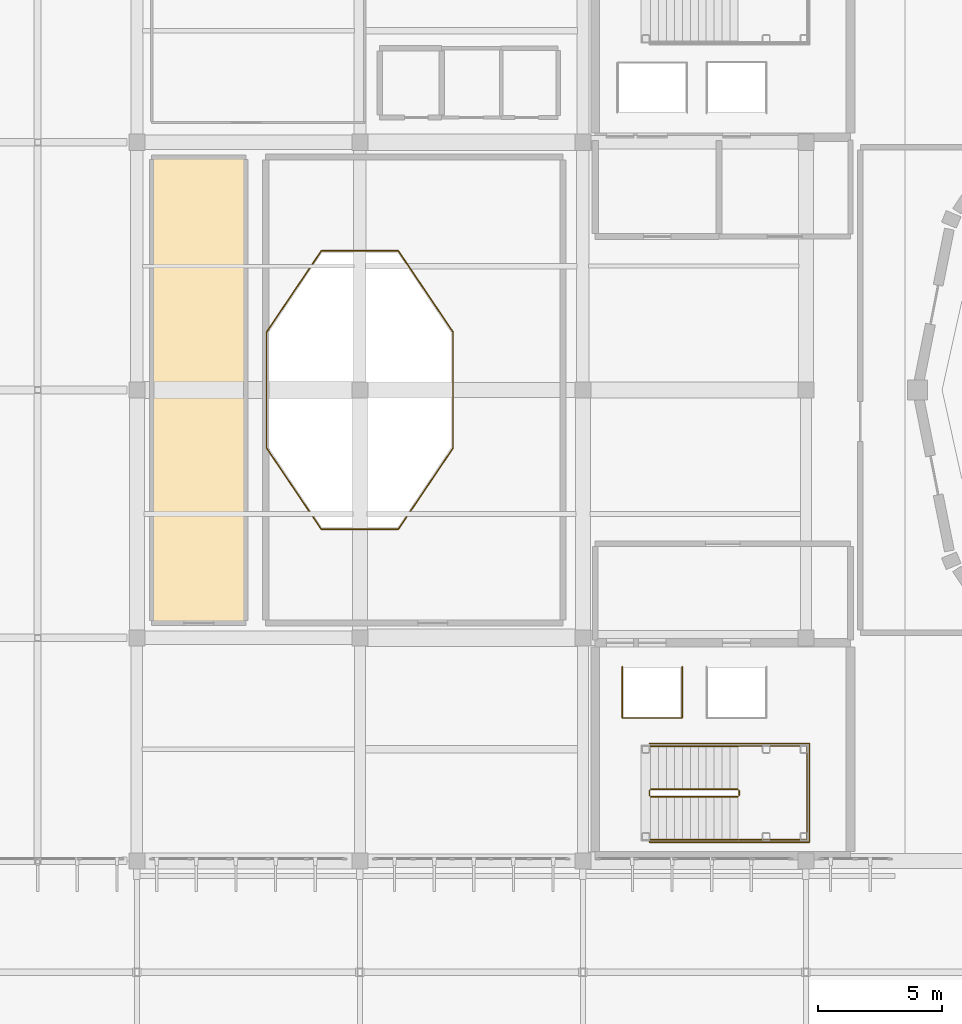
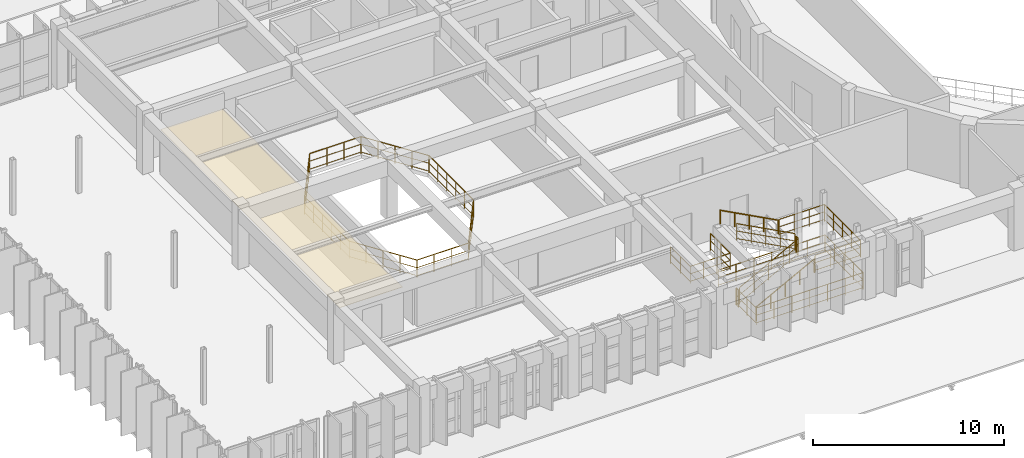
# One storey, part 75 of 80: 10 railings, 1 covering.
"""IFC4 building model written with IfcOpenShell, lengths in metres."""

from ifc_helpers import new_model, si_unit, direction, frame, origin, origin_2d, place, context, subcontext, project, spatial, polyline, circle, outline, extrude, material, layer, layer_set, type_object, element, save


model = new_model("IFC4")

# Units and contexts
model_context = context("Model", 3, precision=1e-05, world=origin(), true_north=direction((0.0, 1.0)))
body_context = subcontext(model_context, "Body", "Model", "MODEL_VIEW")
ifc_project = project(units=[si_unit("LENGTHUNIT", "METRE"), si_unit("AREAUNIT", "SQUARE_METRE"), si_unit("VOLUMEUNIT", "CUBIC_METRE"), si_unit("PLANEANGLEUNIT", "RADIAN"), si_unit("MASSUNIT", "GRAM", prefix="KILO")], contexts=[model_context])

# Site, building, storey
site_placement = place(None, origin())
site = spatial("IfcSite", under=ifc_project, at=site_placement, CompositionType="ELEMENT")
building_placement = place(site_placement, origin())
building = spatial("IfcBuilding", under=site, at=building_placement, Name="Miravela Opera House", CompositionType="ELEMENT")
storey_placement = place(building_placement, frame((0.0, 0.0, 17.679931640625)))
storey = spatial("IfcBuildingStorey", under=building, at=storey_placement, Name="L04", CompositionType="ELEMENT", Elevation=17.679931640625)

# Covering
ifc_material_1 = material(Name="Suspended acoustic gypsum board ceiling")
ifc_layer = layer(ifc_material_1, 0.02392578125)
ifc_layer_set = layer_set([ifc_layer])
covering_type = type_object("IfcCoveringType", Name="ARC-CEIL-GYPSUM-24", PredefinedType="CEILING", material=ifc_layer_set)
covering_placement = place(storey_placement, frame((0.0, 0.0, 2.739990234375)))
element("IfcCovering", 1, at=covering_placement, inside=storey, type_object=covering_type, Name="Radio and Television Broadcast Control Suite Acoustic Ceiling", PredefinedType="CEILING", context=body_context, shape_type="SweptSolid", body=[
    extrude(outline(polyline([(27.60009765625, 46.60009765625), (31.39990234375, 46.60009765625), (31.39990234375, 65.39990234375), (27.60009765625, 65.39990234375), (27.60009765625, 46.60009765625)])), origin(), (0.0, 0.0, 1.0), 0.024169921875),
])

# Railings
ifc_material_2 = material(Name="Architectural bronze foyer balustrade")
railing_type_1 = type_object("IfcRailingType", Name="ARC-RAIL-ATRIUM-BAL", PredefinedType="BALUSTRADE", material=ifc_material_2)
railing_1_placement = place(storey_placement, frame((39.763427734375, 58.33837890625, 0.0)))
element("IfcRailing", 2, at=railing_1_placement, inside=storey, type_object=railing_type_1, Name="L04 Void Perimeter Balustrade 0167", PredefinedType="BALUSTRADE", context=body_context, shape_type="SweptSolid", body=[
    extrude(circle(Radius=0.02587890625, at=origin_2d()), frame((0.0, 0.0, 1.11376953125), z_axis=(-0.558793514264, 0.82930682405, 0.0), x_axis=(-0.82930682405, -0.558793514264, 0.0)), (0.0, 0.0, 1.0), 3.95751953125),
    extrude(circle(Radius=0.01611328125, at=origin_2d()), frame((0.0, 0.0, 0.626953125), z_axis=(-0.558793514264, 0.82930682405, 0.0), x_axis=(-0.82930682405, -0.558793514264, 0.0)), (0.0, 0.0, 1.0), 3.95751953125),
    extrude(circle(Radius=0.01611328125, at=origin_2d()), frame((0.0, 0.0, 0.1201171875), z_axis=(-0.558793514264, 0.82930682405, 0.0), x_axis=(-0.82930682405, -0.558793514264, 0.0)), (0.0, 0.0, 1.0), 3.95751953125),
    extrude(circle(Radius=0.02587890625, at=origin_2d()), frame((-2.21142578125, 3.281982421875, 1.11376953125), z_axis=(-1.0, 0.0, 0.0), x_axis=(0.0, -1.0, 0.0)), (0.0, 0.0, 1.0), 3.10400390625),
    extrude(circle(Radius=0.01611328125, at=origin_2d()), frame((-2.21142578125, 3.281982421875, 0.626953125), z_axis=(-1.0, 0.0, 0.0), x_axis=(0.0, -1.0, 0.0)), (0.0, 0.0, 1.0), 3.10400390625),
    extrude(circle(Radius=0.01611328125, at=origin_2d()), frame((-2.21142578125, 3.281982421875, 0.1201171875), z_axis=(-1.0, 0.0, 0.0), x_axis=(0.0, -1.0, 0.0)), (0.0, 0.0, 1.0), 3.10400390625),
    extrude(circle(Radius=0.02587890625, at=origin_2d()), frame((-5.3154296875, 3.281982421875, 1.11376953125), z_axis=(-0.558793514264, -0.82930682405, 0.0), x_axis=(0.82930682405, -0.558793514264, 0.0)), (0.0, 0.0, 1.0), 3.95751953125),
    extrude(circle(Radius=0.01611328125, at=origin_2d()), frame((-5.3154296875, 3.281982421875, 0.626953125), z_axis=(-0.558793514264, -0.82930682405, 0.0), x_axis=(0.82930682405, -0.558793514264, 0.0)), (0.0, 0.0, 1.0), 3.95751953125),
    extrude(circle(Radius=0.01611328125, at=origin_2d()), frame((-5.3154296875, 3.281982421875, 0.1201171875), z_axis=(-0.558793514264, -0.82930682405, 0.0), x_axis=(0.82930682405, -0.558793514264, 0.0)), (0.0, 0.0, 1.0), 3.95751953125),
    extrude(circle(Radius=0.02587890625, at=origin_2d()), frame((-7.52685546875, 0.0, 1.11376953125), z_axis=(0.0, -1.0, 0.0), x_axis=(1.0, 0.0, 0.0)), (0.0, 0.0, 1.0), 4.6767578125),
    extrude(circle(Radius=0.01611328125, at=origin_2d()), frame((-7.52685546875, 0.0, 0.626953125), z_axis=(0.0, -1.0, 0.0), x_axis=(1.0, 0.0, 0.0)), (0.0, 0.0, 1.0), 4.6767578125),
    extrude(circle(Radius=0.01611328125, at=origin_2d()), frame((-7.52685546875, 0.0, 0.1201171875), z_axis=(0.0, -1.0, 0.0), x_axis=(1.0, 0.0, 0.0)), (0.0, 0.0, 1.0), 4.6767578125),
    extrude(circle(Radius=0.02587890625, at=origin_2d()), frame((-7.52685546875, -4.6767578125, 1.11376953125), z_axis=(0.558793514264, -0.82930682405, 0.0), x_axis=(0.82930682405, 0.558793514264, 0.0)), (0.0, 0.0, 1.0), 3.95751953125),
    extrude(circle(Radius=0.01611328125, at=origin_2d()), frame((-7.52685546875, -4.6767578125, 0.626953125), z_axis=(0.558793514264, -0.82930682405, 0.0), x_axis=(0.82930682405, 0.558793514264, 0.0)), (0.0, 0.0, 1.0), 3.95751953125),
    extrude(circle(Radius=0.01611328125, at=origin_2d()), frame((-7.52685546875, -4.6767578125, 0.1201171875), z_axis=(0.558793514264, -0.82930682405, 0.0), x_axis=(0.82930682405, 0.558793514264, 0.0)), (0.0, 0.0, 1.0), 3.95751953125),
    extrude(circle(Radius=0.02587890625, at=origin_2d()), frame((-5.3154296875, -7.958740234375, 1.11376953125), z_axis=(1.0, 0.0, 0.0), x_axis=(0.0, 1.0, 0.0)), (0.0, 0.0, 1.0), 3.10400390625),
    extrude(circle(Radius=0.01611328125, at=origin_2d()), frame((-5.3154296875, -7.958740234375, 0.626953125), z_axis=(1.0, 0.0, 0.0), x_axis=(0.0, 1.0, 0.0)), (0.0, 0.0, 1.0), 3.10400390625),
    extrude(circle(Radius=0.01611328125, at=origin_2d()), frame((-5.3154296875, -7.958740234375, 0.1201171875), z_axis=(1.0, 0.0, 0.0), x_axis=(0.0, 1.0, 0.0)), (0.0, 0.0, 1.0), 3.10400390625),
    extrude(circle(Radius=0.02587890625, at=origin_2d()), frame((-2.21142578125, -7.958740234375, 1.11376953125), z_axis=(0.558793514264, 0.82930682405, 0.0), x_axis=(-0.82930682405, 0.558793514264, 0.0)), (0.0, 0.0, 1.0), 3.95751953125),
    extrude(circle(Radius=0.01611328125, at=origin_2d()), frame((-2.21142578125, -7.958740234375, 0.626953125), z_axis=(0.558793514264, 0.82930682405, 0.0), x_axis=(-0.82930682405, 0.558793514264, 0.0)), (0.0, 0.0, 1.0), 3.95751953125),
    extrude(circle(Radius=0.01611328125, at=origin_2d()), frame((-2.21142578125, -7.958740234375, 0.1201171875), z_axis=(0.558793514264, 0.82930682405, 0.0), x_axis=(-0.82930682405, 0.558793514264, 0.0)), (0.0, 0.0, 1.0), 3.95751953125),
    extrude(circle(Radius=0.02587890625, at=origin_2d()), frame((0.0, -4.6767578125, 1.11376953125), z_axis=(0.0, 1.0, 0.0), x_axis=(-1.0, 0.0, 0.0)), (0.0, 0.0, 1.0), 4.6767578125),
    extrude(circle(Radius=0.01611328125, at=origin_2d()), frame((0.0, -4.6767578125, 0.626953125), z_axis=(0.0, 1.0, 0.0), x_axis=(-1.0, 0.0, 0.0)), (0.0, 0.0, 1.0), 4.6767578125),
    extrude(circle(Radius=0.01611328125, at=origin_2d()), frame((0.0, -4.6767578125, 0.1201171875), z_axis=(0.0, 1.0, 0.0), x_axis=(-1.0, 0.0, 0.0)), (0.0, 0.0, 1.0), 4.6767578125),
    extrude(circle(Radius=0.02099609375, at=origin_2d()), origin(), (0.0, 0.0, 1.0), 1.087890625),
    extrude(circle(Radius=0.02099609375, at=origin_2d()), frame((-0.552734375, 0.820556640625, 0.0)), (0.0, 0.0, 1.0), 1.087890625),
    extrude(circle(Radius=0.02099609375, at=origin_2d()), frame((-1.105712890625, 1.64111328125, 0.0)), (0.0, 0.0, 1.0), 1.087890625),
    extrude(circle(Radius=0.02099609375, at=origin_2d()), frame((-1.65869140625, 2.46142578125, 0.0)), (0.0, 0.0, 1.0), 1.087890625),
    extrude(circle(Radius=0.02099609375, at=origin_2d()), frame((-2.21142578125, 3.281982421875, 0.0)), (0.0, 0.0, 1.0), 1.087890625),
    extrude(circle(Radius=0.02099609375, at=origin_2d()), frame((-3.24609375, 3.281982421875, 0.0)), (0.0, 0.0, 1.0), 1.087890625),
    extrude(circle(Radius=0.02099609375, at=origin_2d()), frame((-4.28076171875, 3.281982421875, 0.0)), (0.0, 0.0, 1.0), 1.087890625),
    extrude(circle(Radius=0.02099609375, at=origin_2d()), frame((-5.3154296875, 3.281982421875, 0.0)), (0.0, 0.0, 1.0), 1.087890625),
    extrude(circle(Radius=0.02099609375, at=origin_2d()), frame((-5.8681640625, 2.46142578125, 0.0)), (0.0, 0.0, 1.0), 1.087890625),
    extrude(circle(Radius=0.02099609375, at=origin_2d()), frame((-6.421142578125, 1.64111328125, 0.0)), (0.0, 0.0, 1.0), 1.087890625),
    extrude(circle(Radius=0.02099609375, at=origin_2d()), frame((-6.97412109375, 0.820556640625, 0.0)), (0.0, 0.0, 1.0), 1.087890625),
    extrude(circle(Radius=0.02099609375, at=origin_2d()), frame((-7.52685546875, 0.0, 0.0)), (0.0, 0.0, 1.0), 1.087890625),
    extrude(circle(Radius=0.02099609375, at=origin_2d()), frame((-7.52685546875, -0.935302734375, 0.0)), (0.0, 0.0, 1.0), 1.087890625),
    extrude(circle(Radius=0.02099609375, at=origin_2d()), frame((-7.52685546875, -1.87060546875, 0.0)), (0.0, 0.0, 1.0), 1.087890625),
    extrude(circle(Radius=0.02099609375, at=origin_2d()), frame((-7.52685546875, -2.80615234375, 0.0)), (0.0, 0.0, 1.0), 1.087890625),
    extrude(circle(Radius=0.02099609375, at=origin_2d()), frame((-7.52685546875, -3.741455078125, 0.0)), (0.0, 0.0, 1.0), 1.087890625),
    extrude(circle(Radius=0.02099609375, at=origin_2d()), frame((-7.52685546875, -4.6767578125, 0.0)), (0.0, 0.0, 1.0), 1.087890625),
    extrude(circle(Radius=0.02099609375, at=origin_2d()), frame((-6.97412109375, -5.497314453125, 0.0)), (0.0, 0.0, 1.0), 1.087890625),
    extrude(circle(Radius=0.02099609375, at=origin_2d()), frame((-6.421142578125, -6.31787109375, 0.0)), (0.0, 0.0, 1.0), 1.087890625),
    extrude(circle(Radius=0.02099609375, at=origin_2d()), frame((-5.8681640625, -7.13818359375, 0.0)), (0.0, 0.0, 1.0), 1.087890625),
    extrude(circle(Radius=0.02099609375, at=origin_2d()), frame((-5.3154296875, -7.958740234375, 0.0)), (0.0, 0.0, 1.0), 1.087890625),
    extrude(circle(Radius=0.02099609375, at=origin_2d()), frame((-4.28076171875, -7.958740234375, 0.0)), (0.0, 0.0, 1.0), 1.087890625),
    extrude(circle(Radius=0.02099609375, at=origin_2d()), frame((-3.24609375, -7.958740234375, 0.0)), (0.0, 0.0, 1.0), 1.087890625),
    extrude(circle(Radius=0.02099609375, at=origin_2d()), frame((-2.21142578125, -7.958740234375, 0.0)), (0.0, 0.0, 1.0), 1.087890625),
    extrude(circle(Radius=0.02099609375, at=origin_2d()), frame((-1.65869140625, -7.13818359375, 0.0)), (0.0, 0.0, 1.0), 1.087890625),
    extrude(circle(Radius=0.02099609375, at=origin_2d()), frame((-1.105712890625, -6.31787109375, 0.0)), (0.0, 0.0, 1.0), 1.087890625),
    extrude(circle(Radius=0.02099609375, at=origin_2d()), frame((-0.552734375, -5.497314453125, 0.0)), (0.0, 0.0, 1.0), 1.087890625),
    extrude(circle(Radius=0.02099609375, at=origin_2d()), frame((0.0, -4.6767578125, 0.0)), (0.0, 0.0, 1.0), 1.087890625),
    extrude(circle(Radius=0.02099609375, at=origin_2d()), frame((0.0, -3.741455078125, 0.0)), (0.0, 0.0, 1.0), 1.087890625),
    extrude(circle(Radius=0.02099609375, at=origin_2d()), frame((0.0, -2.80615234375, 0.0)), (0.0, 0.0, 1.0), 1.087890625),
    extrude(circle(Radius=0.02099609375, at=origin_2d()), frame((0.0, -1.87060546875, 0.0)), (0.0, 0.0, 1.0), 1.087890625),
    extrude(circle(Radius=0.02099609375, at=origin_2d()), frame((0.0, -0.935302734375, 0.0)), (0.0, 0.0, 1.0), 1.087890625),
])
ifc_material_3 = material(Name="Brushed bronze continuous stair handrail")
railing_type_2 = type_object("IfcRailingType", Name="ARC-RAIL-HAND-900", PredefinedType="HANDRAIL", material=ifc_material_3)
railing_2_placement = place(storey_placement, frame((47.739990234375, 37.85009765625, 0.170166015625)))
element("IfcRailing", 3, at=railing_2_placement, inside=storey, type_object=railing_type_2, Name="L04 ST-02 stair handrail 1", PredefinedType="HANDRAIL", context=body_context, shape_type="SweptSolid", body=[
    extrude(circle(Radius=0.02392578125, at=origin_2d()), frame((0.0, 0.0, 0.8759765625), z_axis=(0.883129994055, 0.0, 0.469128355144), x_axis=(0.0, 1.0, 0.0)), (0.0, 0.0, 1.0), 3.98583984375),
    extrude(circle(Radius=0.02099609375, at=origin_2d()), origin(), (0.0, 0.0, 1.0), 0.851806640625),
    extrude(circle(Radius=0.02099609375, at=origin_2d()), frame((0.8798828125, 0.0, 0.467529296875)), (0.0, 0.0, 1.0), 0.851806640625),
    extrude(circle(Radius=0.02099609375, at=origin_2d()), frame((1.760009765625, 0.0, 0.93505859375)), (0.0, 0.0, 1.0), 0.851806640625),
    extrude(circle(Radius=0.02099609375, at=origin_2d()), frame((2.64013671875, 0.0, 1.40234375)), (0.0, 0.0, 1.0), 0.851806640625),
    extrude(circle(Radius=0.02099609375, at=origin_2d()), frame((3.52001953125, 0.0, 1.869873046875)), (0.0, 0.0, 1.0), 0.851806640625),
])
railing_3_placement = place(storey_placement, frame((51.260009765625, 41.6298828125, 2.2099609375)))
element("IfcRailing", 4, at=railing_3_placement, inside=storey, type_object=railing_type_2, Name="L04 ST-02 stair handrail 2", PredefinedType="HANDRAIL", context=body_context, shape_type="SweptSolid", body=[
    extrude(circle(Radius=0.02392578125, at=origin_2d()), frame((0.0, 0.0, 0.8759765625), z_axis=(-0.883104616746, 0.0, 0.469176124586), x_axis=(0.0, -1.0, 0.0)), (0.0, 0.0, 1.0), 3.98583984375),
    extrude(circle(Radius=0.02099609375, at=origin_2d()), origin(), (0.0, 0.0, 1.0), 0.851806640625),
    extrude(circle(Radius=0.02099609375, at=origin_2d()), frame((-0.8798828125, 0.0, 0.467529296875)), (0.0, 0.0, 1.0), 0.851806640625),
    extrude(circle(Radius=0.02099609375, at=origin_2d()), frame((-1.760009765625, 0.0, 0.93505859375)), (0.0, 0.0, 1.0), 0.851806640625),
    extrude(circle(Radius=0.02099609375, at=origin_2d()), frame((-2.64013671875, 0.0, 1.402587890625)), (0.0, 0.0, 1.0), 0.851806640625),
    extrude(circle(Radius=0.02099609375, at=origin_2d()), frame((-3.52001953125, 0.0, 1.8701171875)), (0.0, 0.0, 1.0), 0.851806640625),
])
ifc_material_4 = material(Name="Painted wrought-iron stair guardrail")
railing_type_3 = type_object("IfcRailingType", Name="ARC-RAIL-STAIR-GUARD", PredefinedType="GUARDRAIL", material=ifc_material_4)
railing_4_placement = place(storey_placement, frame((47.739990234375, 39.590087890625, 0.170166015625)))
element("IfcRailing", 5, at=railing_4_placement, inside=storey, type_object=railing_type_3, Name="L04 ST-02 stair guard 1", PredefinedType="GUARDRAIL", context=body_context, shape_type="SweptSolid", body=[
    extrude(circle(Radius=0.02392578125, at=origin_2d()), frame((0.0, 0.0, 1.076171875), z_axis=(0.883129994055, 0.0, 0.469128355144), x_axis=(0.0, 1.0, 0.0)), (0.0, 0.0, 1.0), 3.98583984375),
    extrude(circle(Radius=0.01611328125, at=origin_2d()), frame((0.0, 0.0, 0.60498046875), z_axis=(0.883129994055, 0.0, 0.469128355144), x_axis=(0.0, 1.0, 0.0)), (0.0, 0.0, 1.0), 3.98583984375),
    extrude(circle(Radius=0.01611328125, at=origin_2d()), frame((0.0, 0.0, 0.1201171875), z_axis=(0.883129994055, 0.0, 0.469128355144), x_axis=(0.0, 1.0, 0.0)), (0.0, 0.0, 1.0), 3.98583984375),
    extrude(circle(Radius=0.02099609375, at=origin_2d()), origin(), (0.0, 0.0, 1.0), 1.052001953125),
    extrude(circle(Radius=0.02099609375, at=origin_2d()), frame((0.8798828125, 0.0, 0.467529296875)), (0.0, 0.0, 1.0), 1.052001953125),
    extrude(circle(Radius=0.02099609375, at=origin_2d()), frame((1.760009765625, 0.0, 0.93505859375)), (0.0, 0.0, 1.0), 1.052001953125),
    extrude(circle(Radius=0.02099609375, at=origin_2d()), frame((2.64013671875, 0.0, 1.40234375)), (0.0, 0.0, 1.0), 1.052001953125),
    extrude(circle(Radius=0.02099609375, at=origin_2d()), frame((3.52001953125, 0.0, 1.869873046875)), (0.0, 0.0, 1.0), 1.052001953125),
])
railing_5_placement = place(storey_placement, frame((51.31005859375, 39.639892578125, 2.0400390625)))
element("IfcRailing", 6, at=railing_5_placement, inside=storey, type_object=railing_type_3, Name="L04 ST-02 stair guard 2", PredefinedType="GUARDRAIL", context=body_context, shape_type="SweptSolid", body=[
    extrude(circle(Radius=0.02392578125, at=origin_2d()), frame((0.0, 0.0, 1.076171875), z_axis=(0.0, 1.0, 0.0), x_axis=(-1.0, 0.0, 0.0)), (0.0, 0.0, 1.0), 0.2001953125),
    extrude(circle(Radius=0.01611328125, at=origin_2d()), frame((0.0, 0.0, 0.60498046875), z_axis=(0.0, 1.0, 0.0), x_axis=(-1.0, 0.0, 0.0)), (0.0, 0.0, 1.0), 0.2001953125),
    extrude(circle(Radius=0.01611328125, at=origin_2d()), frame((0.0, 0.0, 0.1201171875), z_axis=(0.0, 1.0, 0.0), x_axis=(-1.0, 0.0, 0.0)), (0.0, 0.0, 1.0), 0.2001953125),
    extrude(circle(Radius=0.02099609375, at=origin_2d()), origin(), (0.0, 0.0, 1.0), 1.052001953125),
    extrude(circle(Radius=0.02099609375, at=origin_2d()), frame((0.0, 0.2001953125, 0.0)), (0.0, 0.0, 1.0), 1.052001953125),
])
railing_6_placement = place(storey_placement, frame((51.260009765625, 39.889892578125, 2.2099609375)))
element("IfcRailing", 7, at=railing_6_placement, inside=storey, type_object=railing_type_3, Name="L04 ST-02 stair guard 3", PredefinedType="GUARDRAIL", context=body_context, shape_type="SweptSolid", body=[
    extrude(circle(Radius=0.02392578125, at=origin_2d()), frame((0.0, 0.0, 1.076171875), z_axis=(-0.883104616746, 0.0, 0.469176124586), x_axis=(0.0, -1.0, 0.0)), (0.0, 0.0, 1.0), 3.98583984375),
    extrude(circle(Radius=0.01611328125, at=origin_2d()), frame((0.0, 0.0, 0.60498046875), z_axis=(-0.883104616746, 0.0, 0.469176124586), x_axis=(0.0, -1.0, 0.0)), (0.0, 0.0, 1.0), 3.98583984375),
    extrude(circle(Radius=0.01611328125, at=origin_2d()), frame((0.0, 0.0, 0.1201171875), z_axis=(-0.883104616746, 0.0, 0.469176124586), x_axis=(0.0, -1.0, 0.0)), (0.0, 0.0, 1.0), 3.98583984375),
    extrude(circle(Radius=0.02099609375, at=origin_2d()), origin(), (0.0, 0.0, 1.0), 1.052001953125),
    extrude(circle(Radius=0.02099609375, at=origin_2d()), frame((-0.8798828125, 0.0, 0.467529296875)), (0.0, 0.0, 1.0), 1.052001953125),
    extrude(circle(Radius=0.02099609375, at=origin_2d()), frame((-1.760009765625, 0.0, 0.93505859375)), (0.0, 0.0, 1.0), 1.052001953125),
    extrude(circle(Radius=0.02099609375, at=origin_2d()), frame((-2.64013671875, 0.0, 1.402587890625)), (0.0, 0.0, 1.0), 1.052001953125),
    extrude(circle(Radius=0.02099609375, at=origin_2d()), frame((-3.52001953125, 0.0, 1.8701171875)), (0.0, 0.0, 1.0), 1.052001953125),
])
railing_7_placement = place(storey_placement, frame((47.68994140625, 39.639892578125, 0.0)))
element("IfcRailing", 8, at=railing_7_placement, inside=storey, type_object=railing_type_3, Name="L04 ST-02 stair guard 4", PredefinedType="GUARDRAIL", context=body_context, shape_type="SweptSolid", body=[
    extrude(circle(Radius=0.02392578125, at=origin_2d()), frame((0.0, 0.0, 1.076171875), z_axis=(0.0, 1.0, 0.0), x_axis=(-1.0, 0.0, 0.0)), (0.0, 0.0, 1.0), 0.2001953125),
    extrude(circle(Radius=0.01611328125, at=origin_2d()), frame((0.0, 0.0, 0.60498046875), z_axis=(0.0, 1.0, 0.0), x_axis=(-1.0, 0.0, 0.0)), (0.0, 0.0, 1.0), 0.2001953125),
    extrude(circle(Radius=0.01611328125, at=origin_2d()), frame((0.0, 0.0, 0.1201171875), z_axis=(0.0, 1.0, 0.0), x_axis=(-1.0, 0.0, 0.0)), (0.0, 0.0, 1.0), 0.2001953125),
    extrude(circle(Radius=0.02099609375, at=origin_2d()), origin(), (0.0, 0.0, 1.0), 1.052001953125),
    extrude(circle(Radius=0.02099609375, at=origin_2d()), frame((0.0, 0.2001953125, 0.0)), (0.0, 0.0, 1.0), 1.052001953125),
])
railing_8_placement = place(storey_placement, frame((51.31005859375, 37.85009765625, 2.0400390625)))
element("IfcRailing", 9, at=railing_8_placement, inside=storey, type_object=railing_type_3, Name="Stair ST-02 Half-Landing Perimeter Guard (L04) 0018", PredefinedType="GUARDRAIL", context=body_context, shape_type="SweptSolid", body=[
    extrude(circle(Radius=0.02392578125, at=origin_2d()), frame((0.0, 0.0, 1.076171875), z_axis=(1.0, 0.0, 0.0), x_axis=(0.0, 1.0, 0.0)), (0.0, 0.0, 1.0), 2.739990234375),
    extrude(circle(Radius=0.01611328125, at=origin_2d()), frame((0.0, 0.0, 0.60498046875), z_axis=(1.0, 0.0, 0.0), x_axis=(0.0, 1.0, 0.0)), (0.0, 0.0, 1.0), 2.739990234375),
    extrude(circle(Radius=0.01611328125, at=origin_2d()), frame((0.0, 0.0, 0.1201171875), z_axis=(1.0, 0.0, 0.0), x_axis=(0.0, 1.0, 0.0)), (0.0, 0.0, 1.0), 2.739990234375),
    extrude(circle(Radius=0.02392578125, at=origin_2d()), frame((2.739990234375, 0.0, 1.076171875), z_axis=(0.0, 1.0, 0.0), x_axis=(-1.0, 0.0, 0.0)), (0.0, 0.0, 1.0), 3.77978515625),
    extrude(circle(Radius=0.01611328125, at=origin_2d()), frame((2.739990234375, 0.0, 0.60498046875), z_axis=(0.0, 1.0, 0.0), x_axis=(-1.0, 0.0, 0.0)), (0.0, 0.0, 1.0), 3.77978515625),
    extrude(circle(Radius=0.01611328125, at=origin_2d()), frame((2.739990234375, 0.0, 0.1201171875), z_axis=(0.0, 1.0, 0.0), x_axis=(-1.0, 0.0, 0.0)), (0.0, 0.0, 1.0), 3.77978515625),
    extrude(circle(Radius=0.02392578125, at=origin_2d()), frame((2.739990234375, 3.77978515625, 1.076171875), z_axis=(-1.0, 0.0, 0.0), x_axis=(0.0, -1.0, 0.0)), (0.0, 0.0, 1.0), 2.739990234375),
    extrude(circle(Radius=0.01611328125, at=origin_2d()), frame((2.739990234375, 3.77978515625, 0.60498046875), z_axis=(-1.0, 0.0, 0.0), x_axis=(0.0, -1.0, 0.0)), (0.0, 0.0, 1.0), 2.739990234375),
    extrude(circle(Radius=0.01611328125, at=origin_2d()), frame((2.739990234375, 3.77978515625, 0.1201171875), z_axis=(-1.0, 0.0, 0.0), x_axis=(0.0, -1.0, 0.0)), (0.0, 0.0, 1.0), 2.739990234375),
    extrude(circle(Radius=0.02099609375, at=origin_2d()), origin(), (0.0, 0.0, 1.0), 1.052001953125),
    extrude(circle(Radius=0.02099609375, at=origin_2d()), frame((0.913330078125, 0.0, 0.0)), (0.0, 0.0, 1.0), 1.052001953125),
    extrude(circle(Radius=0.02099609375, at=origin_2d()), frame((1.82666015625, 0.0, 0.0)), (0.0, 0.0, 1.0), 1.052001953125),
    extrude(circle(Radius=0.02099609375, at=origin_2d()), frame((2.739990234375, 0.0, 0.0)), (0.0, 0.0, 1.0), 1.052001953125),
    extrude(circle(Radius=0.02099609375, at=origin_2d()), frame((2.739990234375, 0.94482421875, 0.0)), (0.0, 0.0, 1.0), 1.052001953125),
    extrude(circle(Radius=0.02099609375, at=origin_2d()), frame((2.739990234375, 1.889892578125, 0.0)), (0.0, 0.0, 1.0), 1.052001953125),
    extrude(circle(Radius=0.02099609375, at=origin_2d()), frame((2.739990234375, 2.8349609375, 0.0)), (0.0, 0.0, 1.0), 1.052001953125),
    extrude(circle(Radius=0.02099609375, at=origin_2d()), frame((2.739990234375, 3.77978515625, 0.0)), (0.0, 0.0, 1.0), 1.052001953125),
    extrude(circle(Radius=0.02099609375, at=origin_2d()), frame((1.82666015625, 3.77978515625, 0.0)), (0.0, 0.0, 1.0), 1.052001953125),
    extrude(circle(Radius=0.02099609375, at=origin_2d()), frame((0.913330078125, 3.77978515625, 0.0)), (0.0, 0.0, 1.0), 1.052001953125),
    extrude(circle(Radius=0.02099609375, at=origin_2d()), frame((0.0, 3.77978515625, 0.0)), (0.0, 0.0, 1.0), 1.052001953125),
])
railing_9_placement = place(storey_placement, frame((47.68994140625, 39.669921875, 0.0)))
element("IfcRailing", 10, at=railing_9_placement, inside=storey, type_object=railing_type_3, Name="Stair ST-02 Well Slab Opening Guard (L04) 0023", PredefinedType="GUARDRAIL", context=body_context, shape_type="SweptSolid", body=[
    extrude(circle(Radius=0.02392578125, at=origin_2d()), frame((0.0, 0.0, 1.076171875), z_axis=(0.0, -1.0, 0.0), x_axis=(1.0, 0.0, 0.0)), (0.0, 0.0, 1.0), 1.919921875),
    extrude(circle(Radius=0.01611328125, at=origin_2d()), frame((0.0, 0.0, 0.60498046875), z_axis=(0.0, -1.0, 0.0), x_axis=(1.0, 0.0, 0.0)), (0.0, 0.0, 1.0), 1.919921875),
    extrude(circle(Radius=0.01611328125, at=origin_2d()), frame((0.0, 0.0, 0.1201171875), z_axis=(0.0, -1.0, 0.0), x_axis=(1.0, 0.0, 0.0)), (0.0, 0.0, 1.0), 1.919921875),
    extrude(circle(Radius=0.02392578125, at=origin_2d()), frame((0.0, -1.919921875, 1.076171875), z_axis=(1.0, 0.0, 0.0), x_axis=(0.0, 1.0, 0.0)), (0.0, 0.0, 1.0), 6.4599609375),
    extrude(circle(Radius=0.01611328125, at=origin_2d()), frame((0.0, -1.919921875, 0.60498046875), z_axis=(1.0, 0.0, 0.0), x_axis=(0.0, 1.0, 0.0)), (0.0, 0.0, 1.0), 6.4599609375),
    extrude(circle(Radius=0.01611328125, at=origin_2d()), frame((0.0, -1.919921875, 0.1201171875), z_axis=(1.0, 0.0, 0.0), x_axis=(0.0, 1.0, 0.0)), (0.0, 0.0, 1.0), 6.4599609375),
    extrude(circle(Radius=0.02392578125, at=origin_2d()), frame((6.4599609375, -1.919921875, 1.076171875), z_axis=(0.0, 1.0, 0.0), x_axis=(-1.0, 0.0, 0.0)), (0.0, 0.0, 1.0), 3.97998046875),
    extrude(circle(Radius=0.01611328125, at=origin_2d()), frame((6.4599609375, -1.919921875, 0.60498046875), z_axis=(0.0, 1.0, 0.0), x_axis=(-1.0, 0.0, 0.0)), (0.0, 0.0, 1.0), 3.97998046875),
    extrude(circle(Radius=0.01611328125, at=origin_2d()), frame((6.4599609375, -1.919921875, 0.1201171875), z_axis=(0.0, 1.0, 0.0), x_axis=(-1.0, 0.0, 0.0)), (0.0, 0.0, 1.0), 3.97998046875),
    extrude(circle(Radius=0.02392578125, at=origin_2d()), frame((6.4599609375, 2.06005859375, 1.076171875), z_axis=(-1.0, 0.0, 0.0), x_axis=(0.0, -1.0, 0.0)), (0.0, 0.0, 1.0), 6.4599609375),
    extrude(circle(Radius=0.01611328125, at=origin_2d()), frame((6.4599609375, 2.06005859375, 0.60498046875), z_axis=(-1.0, 0.0, 0.0), x_axis=(0.0, -1.0, 0.0)), (0.0, 0.0, 1.0), 6.4599609375),
    extrude(circle(Radius=0.01611328125, at=origin_2d()), frame((6.4599609375, 2.06005859375, 0.1201171875), z_axis=(-1.0, 0.0, 0.0), x_axis=(0.0, -1.0, 0.0)), (0.0, 0.0, 1.0), 6.4599609375),
    extrude(circle(Radius=0.02099609375, at=origin_2d()), origin(), (0.0, 0.0, 1.0), 1.052001953125),
    extrude(circle(Radius=0.02099609375, at=origin_2d()), frame((0.0, -0.9599609375, 0.0)), (0.0, 0.0, 1.0), 1.052001953125),
    extrude(circle(Radius=0.02099609375, at=origin_2d()), frame((0.0, -1.919921875, 0.0)), (0.0, 0.0, 1.0), 1.052001953125),
    extrude(circle(Radius=0.02099609375, at=origin_2d()), frame((1.07666015625, -1.919921875, 0.0)), (0.0, 0.0, 1.0), 1.052001953125),
    extrude(circle(Radius=0.02099609375, at=origin_2d()), frame((2.1533203125, -1.919921875, 0.0)), (0.0, 0.0, 1.0), 1.052001953125),
    extrude(circle(Radius=0.02099609375, at=origin_2d()), frame((3.22998046875, -1.919921875, 0.0)), (0.0, 0.0, 1.0), 1.052001953125),
    extrude(circle(Radius=0.02099609375, at=origin_2d()), frame((4.306640625, -1.919921875, 0.0)), (0.0, 0.0, 1.0), 1.052001953125),
    extrude(circle(Radius=0.02099609375, at=origin_2d()), frame((5.38330078125, -1.919921875, 0.0)), (0.0, 0.0, 1.0), 1.052001953125),
    extrude(circle(Radius=0.02099609375, at=origin_2d()), frame((6.4599609375, -1.919921875, 0.0)), (0.0, 0.0, 1.0), 1.052001953125),
    extrude(circle(Radius=0.02099609375, at=origin_2d()), frame((6.4599609375, -0.9248046875, 0.0)), (0.0, 0.0, 1.0), 1.052001953125),
    extrude(circle(Radius=0.02099609375, at=origin_2d()), frame((6.4599609375, 0.070068359375, 0.0)), (0.0, 0.0, 1.0), 1.052001953125),
    extrude(circle(Radius=0.02099609375, at=origin_2d()), frame((6.4599609375, 1.06494140625, 0.0)), (0.0, 0.0, 1.0), 1.052001953125),
    extrude(circle(Radius=0.02099609375, at=origin_2d()), frame((6.4599609375, 2.06005859375, 0.0)), (0.0, 0.0, 1.0), 1.052001953125),
    extrude(circle(Radius=0.02099609375, at=origin_2d()), frame((5.38330078125, 2.06005859375, 0.0)), (0.0, 0.0, 1.0), 1.052001953125),
    extrude(circle(Radius=0.02099609375, at=origin_2d()), frame((4.306640625, 2.06005859375, 0.0)), (0.0, 0.0, 1.0), 1.052001953125),
    extrude(circle(Radius=0.02099609375, at=origin_2d()), frame((3.22998046875, 2.06005859375, 0.0)), (0.0, 0.0, 1.0), 1.052001953125),
    extrude(circle(Radius=0.02099609375, at=origin_2d()), frame((2.1533203125, 2.06005859375, 0.0)), (0.0, 0.0, 1.0), 1.052001953125),
    extrude(circle(Radius=0.02099609375, at=origin_2d()), frame((1.07666015625, 2.06005859375, 0.0)), (0.0, 0.0, 1.0), 1.052001953125),
    extrude(circle(Radius=0.02099609375, at=origin_2d()), frame((0.0, 2.06005859375, 0.0)), (0.0, 0.0, 1.0), 1.052001953125),
])
railing_10_placement = place(storey_placement, frame((46.590087890625, 44.840087890625, 0.0)))
element("IfcRailing", 11, at=railing_10_placement, inside=storey, type_object=railing_type_3, Name="Lift PL-02 Hoistway Slab Opening Guard (L04) 0109", PredefinedType="GUARDRAIL", context=body_context, shape_type="SweptSolid", body=[
    extrude(circle(Radius=0.02392578125, at=origin_2d()), frame((0.0, 0.0, 1.076171875), z_axis=(0.0, -1.0, 0.0), x_axis=(1.0, 0.0, 0.0)), (0.0, 0.0, 1.0), 2.0751953125),
    extrude(circle(Radius=0.01611328125, at=origin_2d()), frame((0.0, 0.0, 0.60498046875), z_axis=(0.0, -1.0, 0.0), x_axis=(1.0, 0.0, 0.0)), (0.0, 0.0, 1.0), 2.0751953125),
    extrude(circle(Radius=0.01611328125, at=origin_2d()), frame((0.0, 0.0, 0.1201171875), z_axis=(0.0, -1.0, 0.0), x_axis=(1.0, 0.0, 0.0)), (0.0, 0.0, 1.0), 2.0751953125),
    extrude(circle(Radius=0.02392578125, at=origin_2d()), frame((0.0, -2.0751953125, 1.076171875), z_axis=(1.0, 0.0, 0.0), x_axis=(0.0, 1.0, 0.0)), (0.0, 0.0, 1.0), 2.419921875),
    extrude(circle(Radius=0.01611328125, at=origin_2d()), frame((0.0, -2.0751953125, 0.60498046875), z_axis=(1.0, 0.0, 0.0), x_axis=(0.0, 1.0, 0.0)), (0.0, 0.0, 1.0), 2.419921875),
    extrude(circle(Radius=0.01611328125, at=origin_2d()), frame((0.0, -2.0751953125, 0.1201171875), z_axis=(1.0, 0.0, 0.0), x_axis=(0.0, 1.0, 0.0)), (0.0, 0.0, 1.0), 2.419921875),
    extrude(circle(Radius=0.02392578125, at=origin_2d()), frame((2.419921875, -2.0751953125, 1.076171875), z_axis=(0.0, 1.0, 0.0), x_axis=(-1.0, 0.0, 0.0)), (0.0, 0.0, 1.0), 2.0751953125),
    extrude(circle(Radius=0.01611328125, at=origin_2d()), frame((2.419921875, -2.0751953125, 0.60498046875), z_axis=(0.0, 1.0, 0.0), x_axis=(-1.0, 0.0, 0.0)), (0.0, 0.0, 1.0), 2.0751953125),
    extrude(circle(Radius=0.01611328125, at=origin_2d()), frame((2.419921875, -2.0751953125, 0.1201171875), z_axis=(0.0, 1.0, 0.0), x_axis=(-1.0, 0.0, 0.0)), (0.0, 0.0, 1.0), 2.0751953125),
    extrude(circle(Radius=0.02099609375, at=origin_2d()), origin(), (0.0, 0.0, 1.0), 1.052001953125),
    extrude(circle(Radius=0.02099609375, at=origin_2d()), frame((0.0, -1.03759765625, 0.0)), (0.0, 0.0, 1.0), 1.052001953125),
    extrude(circle(Radius=0.02099609375, at=origin_2d()), frame((0.0, -2.0751953125, 0.0)), (0.0, 0.0, 1.0), 1.052001953125),
    extrude(circle(Radius=0.02099609375, at=origin_2d()), frame((0.806640625, -2.0751953125, 0.0)), (0.0, 0.0, 1.0), 1.052001953125),
    extrude(circle(Radius=0.02099609375, at=origin_2d()), frame((1.61328125, -2.0751953125, 0.0)), (0.0, 0.0, 1.0), 1.052001953125),
    extrude(circle(Radius=0.02099609375, at=origin_2d()), frame((2.419921875, -2.0751953125, 0.0)), (0.0, 0.0, 1.0), 1.052001953125),
    extrude(circle(Radius=0.02099609375, at=origin_2d()), frame((2.419921875, -1.03759765625, 0.0)), (0.0, 0.0, 1.0), 1.052001953125),
    extrude(circle(Radius=0.02099609375, at=origin_2d()), frame((2.419921875, 0.0, 0.0)), (0.0, 0.0, 1.0), 1.052001953125),
])

save(model, "model.ifc")
